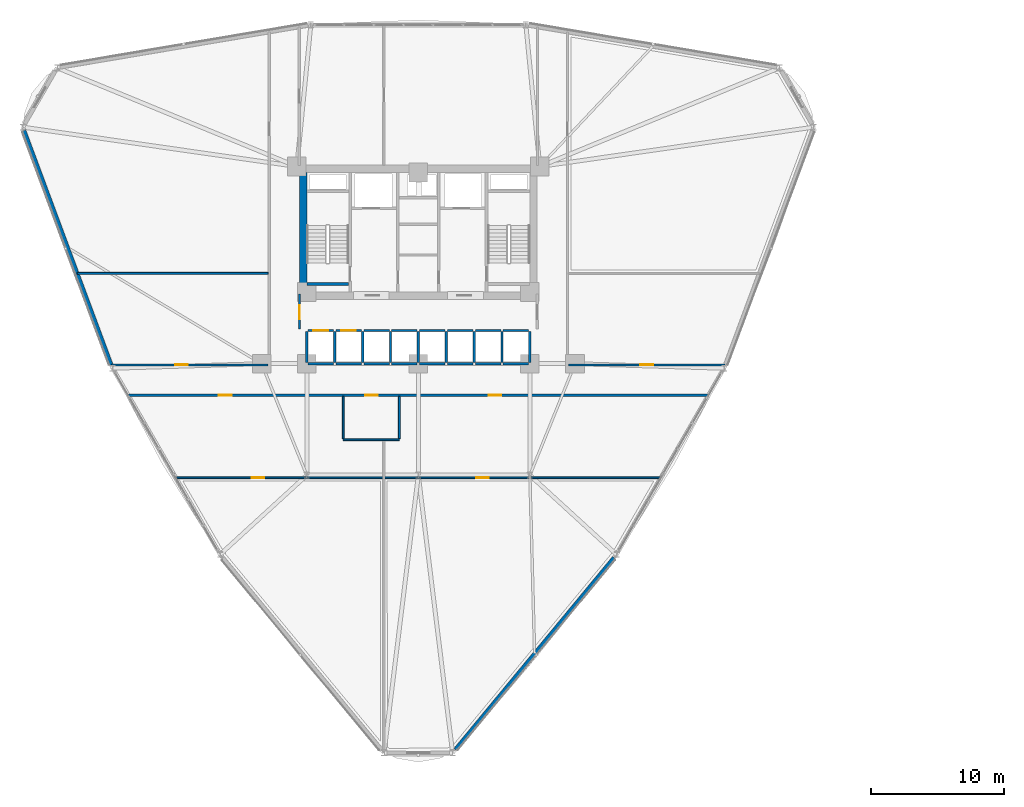
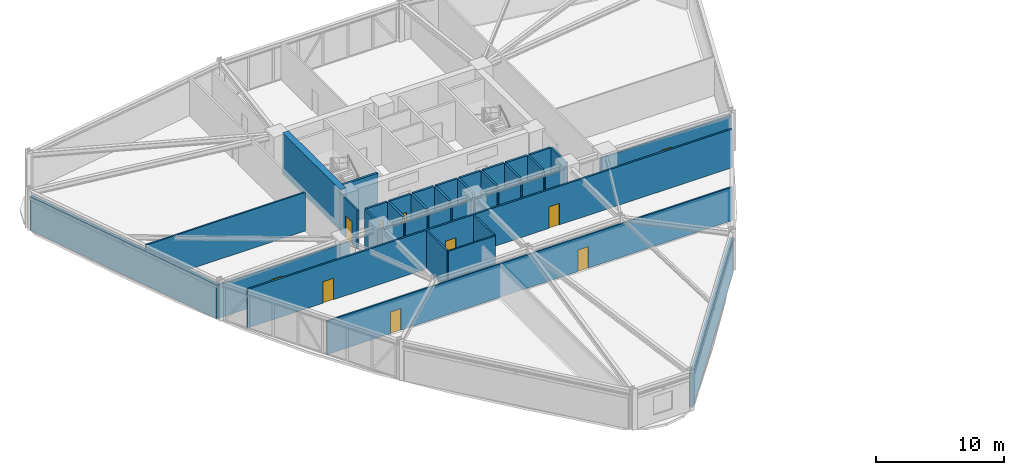
# One storey, part 16 of 23: 38 walls, 10 doors, 10 openings.
"""IFC4 building model written with IfcOpenShell, lengths in metres."""

from ifc_helpers import new_model, si_unit, derived_unit, direction, frame, frame_2d, origin, place, context, subcontext, project, spatial, rectangle, extrude, material, layer, layer_set, type_object, element, fill, save


model = new_model("IFC4")

# Units and contexts
model_context = context("Model", 3, precision=1e-05, world=origin(), true_north=direction((0.0, 1.0)))
body_context = subcontext(model_context, "Body", "Model", "MODEL_VIEW")
ifc_project = project(units=[si_unit("LENGTHUNIT", "METRE"), si_unit("AREAUNIT", "SQUARE_METRE"), si_unit("VOLUMEUNIT", "CUBIC_METRE"), si_unit("PLANEANGLEUNIT", "RADIAN"), si_unit("MASSUNIT", "GRAM", prefix="KILO"), derived_unit("THERMALTRANSMITTANCEUNIT", [(si_unit("POWERUNIT", "WATT"), 1), (si_unit("LENGTHUNIT", "METRE"), -2), (si_unit("THERMODYNAMICTEMPERATUREUNIT", "KELVIN"), -1)])], contexts=[model_context])

# Site, building, storey
site_placement = place(None, origin())
site = spatial("IfcSite", under=ifc_project, at=site_placement, CompositionType="ELEMENT")
building_placement = place(site_placement, origin())
building = spatial("IfcBuilding", under=site, at=building_placement, Name="Korsvarv Bourse and Concert Hall", CompositionType="ELEMENT")
storey_placement = place(building_placement, frame((0.0, 0.0, 24.0)))
storey = spatial("IfcBuildingStorey", under=building, at=storey_placement, Name="L05", CompositionType="ELEMENT", Elevation=24.0)

# Walls
ifc_material_1 = material(Name="Concrete C50/60", Category="concrete")
ifc_layer_1 = layer(ifc_material_1, 0.3798828125)
ifc_layer_set_1 = layer_set([ifc_layer_1], Name="Concrete C50/60")
wall_type_1 = type_object("IfcWallType", Name="WL-CORE-380", PredefinedType="SHEAR", material=ifc_layer_set_1)
wall_1_placement = place(storey_placement, frame((27.610107421875, 38.39990234375, 0.0), z_axis=(0.0, 0.0, 1.0), x_axis=(1.0, 0.0, 0.0)))
element("IfcWall", 1, at=wall_1_placement, inside=storey, type_object=wall_type_1, Name="L05 stair shaft structural wall W-L05-ST1-S", PredefinedType="SHEAR", context=body_context, shape_type="SweptSolid", body=[
    extrude(rectangle(XDim=3.139892578125, YDim=0.199951171875, at=frame_2d((1.56982421875, 0.0))), origin(), (0.0, 0.0, 1.0), 3.89990234375),
])
ifc_material_2 = material(Name="Concrete C60/75", Category="concrete")
ifc_layer_2 = layer(ifc_material_2, 0.550048828125)
ifc_layer_set_2 = layer_set([ifc_layer_2], Name="Concrete C60/75")
wall_type_2 = type_object("IfcWallType", Name="WL-CORE-550", PredefinedType="SHEAR", material=ifc_layer_set_2)
wall_2_placement = place(storey_placement, frame((27.324951171875, 37.800048828125, 0.0), z_axis=(0.0, 0.0, 1.0), x_axis=(0.0, 1.0, 0.0)))
element("IfcWall", 2, at=wall_2_placement, inside=storey, type_object=wall_type_2, Name="L05 West Core Shear Wall", PredefinedType="SHEAR", context=body_context, shape_type="SweptSolid", body=[
    extrude(rectangle(XDim=9.0, YDim=0.550048828125, at=frame_2d((4.5, 0.0))), origin(), (0.0, 0.0, 1.0), 3.89990234375),
])
ifc_material_3 = material(Name="Precast concrete C45/55 with fluted terracotta pier", Category="concrete")
ifc_layer_3 = layer(ifc_material_3, 0.280029296875)
ifc_layer_set_3 = layer_set([ifc_layer_3], Name="Precast concrete C45/55 with fluted terracotta pier")
wall_type_3 = type_object("IfcWallType", Name="WL-EXT-TC2", PredefinedType="SOLIDWALL", material=ifc_layer_set_3)
wall_3_placement = place(storey_placement, frame((6.301513671875, 49.97509765625, 0.0), z_axis=(0.0, 0.0, 1.0), x_axis=(0.348763587367, -0.937210734108, 0.0)))
element("IfcWall", 3, at=wall_3_placement, inside=storey, type_object=wall_type_3, Name="L05 terracotta exterior wall EW-L05-B06", PredefinedType="SOLIDWALL", context=body_context, shape_type="SweptSolid", body=[
    extrude(rectangle(XDim=18.86328125, YDim=0.280029296875, at=frame_2d((9.431640625, 0.0))), origin(), (0.0, 0.0, 1.0), 3.22998046875),
])
wall_4_placement = place(storey_placement, frame((38.781982421875, 3.335693359375, 0.0), z_axis=(0.0, 0.0, 1.0), x_axis=(0.637262575447, 0.770646747826, 0.0)))
element("IfcWall", 4, at=wall_4_placement, inside=storey, type_object=wall_type_3, Name="L05 terracotta exterior wall EW-L05-B10", PredefinedType="SOLIDWALL", context=body_context, shape_type="SweptSolid", body=[
    extrude(rectangle(XDim=18.751953125, YDim=0.280029296875, at=frame_2d((9.3759765625, 0.0))), origin(), (0.0, 0.0, 1.0), 3.22998046875),
])

# Wall, opening, door
ifc_material_4 = material(Name="Double-stud fire-rated acoustic partition", Category="gypsum")
ifc_layer_4 = layer(ifc_material_4, 0.159912109375)
ifc_layer_set_4 = layer_set([ifc_layer_4], Name="Double-stud fire-rated acoustic partition")
wall_type_4 = type_object("IfcWallType", Name="WL-INT-EI60", PredefinedType="PARTITIONING", material=ifc_layer_set_4)
wall_5_placement = place(storey_placement, frame((27.0400390625, 35.0, 0.0), z_axis=(0.0, 0.0, 1.0), x_axis=(0.0, 1.0, 0.0)))
wall_5 = element("IfcWall", 5, at=wall_5_placement, inside=storey, type_object=wall_type_4, Name="L05 interior partition wall W-L05-LOB-W", PredefinedType="PARTITIONING", context=body_context, shape_type="SweptSolid", body=[
    extrude(rectangle(XDim=2.64990234375, YDim=0.159912109375, at=frame_2d((1.324951171875, 0.0))), origin(), (0.0, 0.0, 1.0), 3.679931640625),
])
opening_1_placement = place(wall_5_placement, frame((0.75, 0.0, 0.0)))
opening_1 = element("IfcOpeningElement", 6, at=opening_1_placement, cuts=wall_5, Name="Opening D-01", PredefinedType="OPENING", context=body_context, shape_type="SweptSolid", body=[
    extrude(rectangle(XDim=1.050048828125, YDim=2.10009765625, at=frame_2d((0.52490234375, 1.050048828125))), frame((0.0, 0.08984375, 0.0), z_axis=(0.0, -1.0, 0.0), x_axis=(1.0, 0.0, 0.0)), (0.0, 0.0, 1.0), 0.179931640625),
])
ifc_material_5 = material(Name="Steel S355 fire door", Category="steel")
door_type_1 = type_object("IfcDoorType", Name="DR-FD60", OperationType="NOTDEFINED", PredefinedType="DOOR", material=ifc_material_5)
door_1_placement = place(opening_1_placement, frame((1.050048828125, 0.0, 0.0), z_axis=(0.0, 0.0, 1.0), x_axis=(-1.0, 0.0, 0.0)))
door_1 = element("IfcDoor", 7, at=door_1_placement, inside=storey, type_object=door_type_1, Name="L05 interior door DR-L05-LOBW", OperationType="SINGLE_SWING_LEFT", OverallHeight=2.10009765625, OverallWidth=1.050048828125, PredefinedType="DOOR", context=body_context, shape_type="SweptSolid", body=[
    extrude(rectangle(XDim=1.050048828125, YDim=2.10009765625, at=frame_2d((0.52490234375, 1.050048828125))), frame((0.0, 0.02490234375, 0.0), z_axis=(0.0, -1.0, 0.0), x_axis=(1.0, 0.0, 0.0)), (0.0, 0.0, 1.0), 0.050048828125),
])
fill(opening_1, door_1)

# Wall, openings, doors
wall_6_placement = place(storey_placement, frame((14.162109375, 30.02490234375, 0.0), z_axis=(0.0, 0.0, 1.0), x_axis=(1.0, 0.0, 0.0)))
wall_6 = element("IfcWall", 8, at=wall_6_placement, inside=storey, type_object=wall_type_4, Name="L05 interior partition wall W-L05-TCOR-01", PredefinedType="PARTITIONING", context=body_context, shape_type="SweptSolid", body=[
    extrude(rectangle(XDim=43.67578125, YDim=0.159912109375, at=frame_2d((21.837890625, 0.0))), origin(), (0.0, 0.0, 1.0), 3.679931640625),
])
opening_2_placement = place(wall_6_placement, frame((17.822998046875, 0.0, 0.0)))
opening_2 = element("IfcOpeningElement", 9, at=opening_2_placement, cuts=wall_6, Name="Opening D-02", PredefinedType="OPENING", context=body_context, shape_type="SweptSolid", body=[
    extrude(rectangle(XDim=0.949951171875, YDim=2.050048828125, at=frame_2d((0.47509765625, 1.02490234375))), frame((0.0, 0.08984375, 0.0), z_axis=(0.0, -1.0, 0.0), x_axis=(1.0, 0.0, 0.0)), (0.0, 0.0, 1.0), 0.179931640625),
])
opening_3_placement = place(wall_6_placement, frame((6.824462890625, 0.0, 0.0)))
opening_3 = element("IfcOpeningElement", 10, at=opening_3_placement, cuts=wall_6, Name="Opening D-02", PredefinedType="OPENING", context=body_context, shape_type="SweptSolid", body=[
    extrude(rectangle(XDim=0.949951171875, YDim=2.050048828125, at=frame_2d((0.47509765625, 1.02490234375))), frame((0.0, 0.08984375, 0.0), z_axis=(0.0, -1.0, 0.0), x_axis=(1.0, 0.0, 0.0)), (0.0, 0.0, 1.0), 0.179931640625),
])
opening_4_placement = place(wall_6_placement, frame((27.14599609375, 0.0, 0.0)))
opening_4 = element("IfcOpeningElement", 11, at=opening_4_placement, cuts=wall_6, Name="Opening D-02", PredefinedType="OPENING", context=body_context, shape_type="SweptSolid", body=[
    extrude(rectangle(XDim=0.949951171875, YDim=2.050048828125, at=frame_2d((0.47509765625, 1.02490234375))), frame((0.0, 0.08984375, 0.0), z_axis=(0.0, -1.0, 0.0), x_axis=(1.0, 0.0, 0.0)), (0.0, 0.0, 1.0), 0.179931640625),
])
ifc_material_6 = material(Name="Timber and steel acoustic fire door", Category="wood")
door_type_2 = type_object("IfcDoorType", Name="DR-FD30", OperationType="NOTDEFINED", PredefinedType="DOOR", material=ifc_material_6)
door_2_placement = place(opening_2_placement, origin())
door_2 = element("IfcDoor", 12, at=door_2_placement, inside=storey, type_object=door_type_2, Name="L05 interior door DR-L05-TCOR-RWC", OperationType="SINGLE_SWING_LEFT", OverallHeight=2.050048828125, OverallWidth=0.949951171875, PredefinedType="DOOR", context=body_context, shape_type="SweptSolid", body=[
    extrude(rectangle(XDim=0.949951171875, YDim=2.050048828125, at=frame_2d((0.47509765625, 1.02490234375))), frame((0.0, 0.02490234375, 0.0), z_axis=(0.0, -1.0, 0.0), x_axis=(1.0, 0.0, 0.0)), (0.0, 0.0, 1.0), 0.050048828125),
])
fill(opening_2, door_2)
door_3_placement = place(opening_3_placement, origin())
door_3 = element("IfcDoor", 13, at=door_3_placement, inside=storey, type_object=door_type_2, Name="L05 interior door DR-L05-TCOR-EQ15", OperationType="SINGLE_SWING_RIGHT", OverallHeight=2.050048828125, OverallWidth=0.949951171875, PredefinedType="DOOR", context=body_context, shape_type="SweptSolid", body=[
    extrude(rectangle(XDim=0.949951171875, YDim=2.050048828125, at=frame_2d((0.47509765625, 1.02490234375))), frame((0.0, 0.02490234375, 0.0), z_axis=(0.0, -1.0, 0.0), x_axis=(1.0, 0.0, 0.0)), (0.0, 0.0, 1.0), 0.050048828125),
])
fill(opening_3, door_3)
door_4_placement = place(opening_4_placement, origin())
door_4 = element("IfcDoor", 14, at=door_4_placement, inside=storey, type_object=door_type_2, Name="L05 interior door DR-L05-TCOR-EQ26", OperationType="SINGLE_SWING_LEFT", OverallHeight=2.050048828125, OverallWidth=0.949951171875, PredefinedType="DOOR", context=body_context, shape_type="SweptSolid", body=[
    extrude(rectangle(XDim=0.949951171875, YDim=2.050048828125, at=frame_2d((0.47509765625, 1.02490234375))), frame((0.0, 0.02490234375, 0.0), z_axis=(0.0, -1.0, 0.0), x_axis=(1.0, 0.0, 0.0)), (0.0, 0.0, 1.0), 0.050048828125),
])
fill(opening_4, door_4)

# Wall, opening, door
wall_7_placement = place(storey_placement, frame((12.893310546875, 32.31494140625, 0.0), z_axis=(0.0, 0.0, 1.0), x_axis=(1.0, 0.0, 0.0)))
wall_7 = element("IfcWall", 15, at=wall_7_placement, inside=storey, type_object=wall_type_4, Name="L05 interior partition wall W-L05-TCOR-04", PredefinedType="PARTITIONING", context=body_context, shape_type="SweptSolid", body=[
    extrude(rectangle(XDim=11.7998046875, YDim=0.159912109375, at=frame_2d((5.89990234375, 0.0))), origin(), (0.0, 0.0, 1.0), 3.179931640625),
])
opening_5_placement = place(wall_7_placement, frame((4.78662109375, 0.0, 0.0)))
opening_5 = element("IfcOpeningElement", 16, at=opening_5_placement, cuts=wall_7, Name="Opening D-02", PredefinedType="OPENING", context=body_context, shape_type="SweptSolid", body=[
    extrude(rectangle(XDim=0.949951171875, YDim=2.050048828125, at=frame_2d((0.47509765625, 1.02490234375))), frame((0.0, 0.08984375, 0.0), z_axis=(0.0, -1.0, 0.0), x_axis=(1.0, 0.0, 0.0)), (0.0, 0.0, 1.0), 0.179931640625),
])
door_5_placement = place(opening_5_placement, origin())
door_5 = element("IfcDoor", 17, at=door_5_placement, inside=storey, type_object=door_type_2, Name="L05 interior door DR-L05-TCOR-EQ59", OperationType="SINGLE_SWING_RIGHT", OverallHeight=2.050048828125, OverallWidth=0.949951171875, PredefinedType="DOOR", context=body_context, shape_type="SweptSolid", body=[
    extrude(rectangle(XDim=0.949951171875, YDim=2.050048828125, at=frame_2d((0.47509765625, 1.02490234375))), frame((0.0, 0.02490234375, 0.0), z_axis=(0.0, -1.0, 0.0), x_axis=(1.0, 0.0, 0.0)), (0.0, 0.0, 1.0), 0.050048828125),
])
fill(opening_5, door_5)

wall_8_placement = place(storey_placement, frame((47.306884765625, 32.31494140625, 0.0), z_axis=(0.0, 0.0, 1.0), x_axis=(1.0, 0.0, 0.0)))
wall_8 = element("IfcWall", 18, at=wall_8_placement, inside=storey, type_object=wall_type_4, Name="L05 interior partition wall W-L05-TCOR-05", PredefinedType="PARTITIONING", context=body_context, shape_type="SweptSolid", body=[
    extrude(rectangle(XDim=11.7998046875, YDim=0.159912109375, at=frame_2d((5.89990234375, 0.0))), origin(), (0.0, 0.0, 1.0), 3.179931640625),
])
opening_6_placement = place(wall_8_placement, frame((5.4248046875, 0.0, 0.0)))
opening_6 = element("IfcOpeningElement", 19, at=opening_6_placement, cuts=wall_8, Name="Opening D-02", PredefinedType="OPENING", context=body_context, shape_type="SweptSolid", body=[
    extrude(rectangle(XDim=0.949951171875, YDim=2.050048828125, at=frame_2d((0.47509765625, 1.02490234375))), frame((0.0, 0.08984375, 0.0), z_axis=(0.0, -1.0, 0.0), x_axis=(1.0, 0.0, 0.0)), (0.0, 0.0, 1.0), 0.179931640625),
])
door_6_placement = place(opening_6_placement, origin())
door_6 = element("IfcDoor", 20, at=door_6_placement, inside=storey, type_object=door_type_2, Name="L05 interior door DR-L05-TCOR-EQ71", OperationType="SINGLE_SWING_LEFT", OverallHeight=2.050048828125, OverallWidth=0.949951171875, PredefinedType="DOOR", context=body_context, shape_type="SweptSolid", body=[
    extrude(rectangle(XDim=0.949951171875, YDim=2.050048828125, at=frame_2d((0.47509765625, 1.02490234375))), frame((0.0, 0.02490234375, 0.0), z_axis=(0.0, -1.0, 0.0), x_axis=(1.0, 0.0, 0.0)), (0.0, 0.0, 1.0), 0.050048828125),
])
fill(opening_6, door_6)

ifc_material_7 = material(Name="Gypsum-clad autoclaved concrete shaft wall C30/37", Category="concrete")
ifc_layer_5 = layer(ifc_material_7, 0.179931640625)
ifc_layer_set_5 = layer_set([ifc_layer_5], Name="Gypsum-clad autoclaved concrete shaft wall C30/37")
wall_type_5 = type_object("IfcWallType", Name="WL-INT-EI90", PredefinedType="PARTITIONING", material=ifc_layer_set_5)
wall_9_placement = place(storey_placement, frame((27.68994140625, 34.89990234375, 0.0), z_axis=(0.0, 0.0, 1.0), x_axis=(1.0, 0.0, 0.0)))
wall_9 = element("IfcWall", 21, at=wall_9_placement, inside=storey, type_object=wall_type_5, Name="L05 interior partition wall W-L05-SHFN-PL1", PredefinedType="PARTITIONING", context=body_context, shape_type="SweptSolid", body=[
    extrude(rectangle(XDim=1.920166015625, YDim=0.179931640625, at=frame_2d((0.9599609375, 0.0))), origin(), (0.0, 0.0, 1.0), 3.679931640625),
])
opening_7_placement = place(wall_9_placement, frame((0.409912109375, 0.0, 0.0)))
opening_7 = element("IfcOpeningElement", 22, at=opening_7_placement, cuts=wall_9, Name="Opening LD-2", PredefinedType="OPENING", context=body_context, shape_type="SweptSolid", body=[
    extrude(rectangle(XDim=1.10009765625, YDim=2.10009765625, at=frame_2d((0.550048828125, 1.050048828125))), frame((0.0, 0.10009765625, 0.0), z_axis=(0.0, -1.0, 0.0), x_axis=(1.0, 0.0, 0.0)), (0.0, 0.0, 1.0), 0.199951171875),
])
ifc_material_8 = material(Name="Brushed stainless Steel S355 lift landing door", Category="steel")
door_type_3 = type_object("IfcDoorType", Name="DR-LIFT-P", OperationType="DOUBLE_DOOR_SLIDING", PredefinedType="DOOR", material=ifc_material_8)
door_7_placement = place(opening_7_placement, origin())
door_7 = element("IfcDoor", 23, at=door_7_placement, inside=storey, type_object=door_type_3, Name="L05 lift sliding landing door LD-L05-PL1", OperationType="DOUBLE_DOOR_SLIDING", OverallHeight=2.10009765625, OverallWidth=1.10009765625, PredefinedType="DOOR", context=body_context, shape_type="SweptSolid", body=[
    extrude(rectangle(XDim=1.10009765625, YDim=2.10009765625, at=frame_2d((0.550048828125, 1.050048828125))), frame((0.0, 0.02490234375, 0.0), z_axis=(0.0, -1.0, 0.0), x_axis=(1.0, 0.0, 0.0)), (0.0, 0.0, 1.0), 0.050048828125),
])
fill(opening_7, door_7)

# Walls
wall_10_placement = place(storey_placement, frame((27.68994140625, 32.39990234375, 0.0), z_axis=(0.0, 0.0, 1.0), x_axis=(1.0, 0.0, 0.0)))
element("IfcWall", 24, at=wall_10_placement, inside=storey, type_object=wall_type_5, Name="L05 interior partition wall W-L05-SHFS-PL1", PredefinedType="PARTITIONING", context=body_context, shape_type="SweptSolid", body=[
    extrude(rectangle(XDim=1.920166015625, YDim=0.179931640625, at=frame_2d((0.9599609375, 0.0))), origin(), (0.0, 0.0, 1.0), 3.179931640625),
])
wall_11_placement = place(storey_placement, frame((27.60009765625, 32.489990234375, 0.0), z_axis=(0.0, 0.0, 1.0), x_axis=(0.0, 1.0, 0.0)))
element("IfcWall", 25, at=wall_11_placement, inside=storey, type_object=wall_type_5, Name="L05 interior partition wall W-L05-SHFW-PL1", PredefinedType="PARTITIONING", context=body_context, shape_type="SweptSolid", body=[
    extrude(rectangle(XDim=2.320068359375, YDim=0.179931640625, at=frame_2d((1.16015625, 0.0))), origin(), (0.0, 0.0, 1.0), 3.679931640625),
])

# Wall, opening, door
wall_12_placement = place(storey_placement, frame((29.7900390625, 34.89990234375, 0.0), z_axis=(0.0, 0.0, 1.0), x_axis=(1.0, 0.0, 0.0)))
wall_12 = element("IfcWall", 26, at=wall_12_placement, inside=storey, type_object=wall_type_5, Name="L05 interior partition wall W-L05-SHFN-PL2", PredefinedType="PARTITIONING", context=body_context, shape_type="SweptSolid", body=[
    extrude(rectangle(XDim=1.919921875, YDim=0.179931640625, at=frame_2d((0.9599609375, 0.0))), origin(), (0.0, 0.0, 1.0), 3.679931640625),
])
opening_8_placement = place(wall_12_placement, frame((0.409912109375, 0.0, 0.0)))
opening_8 = element("IfcOpeningElement", 27, at=opening_8_placement, cuts=wall_12, Name="Opening LD-2", PredefinedType="OPENING", context=body_context, shape_type="SweptSolid", body=[
    extrude(rectangle(XDim=1.10009765625, YDim=2.10009765625, at=frame_2d((0.550048828125, 1.050048828125))), frame((0.0, 0.10009765625, 0.0), z_axis=(0.0, -1.0, 0.0), x_axis=(1.0, 0.0, 0.0)), (0.0, 0.0, 1.0), 0.199951171875),
])
door_8_placement = place(opening_8_placement, origin())
door_8 = element("IfcDoor", 28, at=door_8_placement, inside=storey, type_object=door_type_3, Name="L05 lift sliding landing door LD-L05-PL2", OperationType="DOUBLE_DOOR_SLIDING", OverallHeight=2.10009765625, OverallWidth=1.10009765625, PredefinedType="DOOR", context=body_context, shape_type="SweptSolid", body=[
    extrude(rectangle(XDim=1.10009765625, YDim=2.10009765625, at=frame_2d((0.550048828125, 1.050048828125))), frame((0.0, 0.02490234375, 0.0), z_axis=(0.0, -1.0, 0.0), x_axis=(1.0, 0.0, 0.0)), (0.0, 0.0, 1.0), 0.050048828125),
])
fill(opening_8, door_8)

# Walls
wall_13_placement = place(storey_placement, frame((29.7900390625, 32.39990234375, 0.0), z_axis=(0.0, 0.0, 1.0), x_axis=(1.0, 0.0, 0.0)))
element("IfcWall", 29, at=wall_13_placement, inside=storey, type_object=wall_type_5, Name="L05 interior partition wall W-L05-SHFS-PL2", PredefinedType="PARTITIONING", context=body_context, shape_type="SweptSolid", body=[
    extrude(rectangle(XDim=1.919921875, YDim=0.179931640625, at=frame_2d((0.9599609375, 0.0))), origin(), (0.0, 0.0, 1.0), 3.179931640625),
])
wall_14_placement = place(storey_placement, frame((29.699951171875, 32.489990234375, 0.0), z_axis=(0.0, 0.0, 1.0), x_axis=(0.0, 1.0, 0.0)))
element("IfcWall", 30, at=wall_14_placement, inside=storey, type_object=wall_type_5, Name="L05 interior partition wall W-L05-SHFW-PL2", PredefinedType="PARTITIONING", context=body_context, shape_type="SweptSolid", body=[
    extrude(rectangle(XDim=2.320068359375, YDim=0.179931640625, at=frame_2d((1.16015625, 0.0))), origin(), (0.0, 0.0, 1.0), 3.679931640625),
])
wall_15_placement = place(storey_placement, frame((31.889892578125, 34.89990234375, 0.0), z_axis=(0.0, 0.0, 1.0), x_axis=(1.0, 0.0, 0.0)))
element("IfcWall", 31, at=wall_15_placement, inside=storey, type_object=wall_type_5, Name="L05 interior partition wall W-L05-SHFN-PM1", PredefinedType="PARTITIONING", context=body_context, shape_type="SweptSolid", body=[
    extrude(rectangle(XDim=1.920166015625, YDim=0.179931640625, at=frame_2d((0.9599609375, 0.0))), origin(), (0.0, 0.0, 1.0), 3.679931640625),
])
wall_16_placement = place(storey_placement, frame((31.889892578125, 32.39990234375, 0.0), z_axis=(0.0, 0.0, 1.0), x_axis=(1.0, 0.0, 0.0)))
element("IfcWall", 32, at=wall_16_placement, inside=storey, type_object=wall_type_5, Name="L05 interior partition wall W-L05-SHFS-PM1", PredefinedType="PARTITIONING", context=body_context, shape_type="SweptSolid", body=[
    extrude(rectangle(XDim=1.920166015625, YDim=0.179931640625, at=frame_2d((0.9599609375, 0.0))), origin(), (0.0, 0.0, 1.0), 3.179931640625),
])
wall_17_placement = place(storey_placement, frame((31.800048828125, 32.489990234375, 0.0), z_axis=(0.0, 0.0, 1.0), x_axis=(0.0, 1.0, 0.0)))
element("IfcWall", 33, at=wall_17_placement, inside=storey, type_object=wall_type_5, Name="L05 interior partition wall W-L05-SHFW-PM1", PredefinedType="PARTITIONING", context=body_context, shape_type="SweptSolid", body=[
    extrude(rectangle(XDim=2.320068359375, YDim=0.179931640625, at=frame_2d((1.16015625, 0.0))), origin(), (0.0, 0.0, 1.0), 3.679931640625),
])
wall_18_placement = place(storey_placement, frame((33.989990234375, 34.89990234375, 0.0), z_axis=(0.0, 0.0, 1.0), x_axis=(1.0, 0.0, 0.0)))
element("IfcWall", 34, at=wall_18_placement, inside=storey, type_object=wall_type_5, Name="L05 interior partition wall W-L05-SHFN-PM2", PredefinedType="PARTITIONING", context=body_context, shape_type="SweptSolid", body=[
    extrude(rectangle(XDim=1.919921875, YDim=0.179931640625, at=frame_2d((0.9599609375, 0.0))), origin(), (0.0, 0.0, 1.0), 3.679931640625),
])
wall_19_placement = place(storey_placement, frame((33.989990234375, 32.39990234375, 0.0), z_axis=(0.0, 0.0, 1.0), x_axis=(1.0, 0.0, 0.0)))
element("IfcWall", 35, at=wall_19_placement, inside=storey, type_object=wall_type_5, Name="L05 interior partition wall W-L05-SHFS-PM2", PredefinedType="PARTITIONING", context=body_context, shape_type="SweptSolid", body=[
    extrude(rectangle(XDim=1.919921875, YDim=0.179931640625, at=frame_2d((0.9599609375, 0.0))), origin(), (0.0, 0.0, 1.0), 3.179931640625),
])
wall_20_placement = place(storey_placement, frame((33.89990234375, 32.489990234375, 0.0), z_axis=(0.0, 0.0, 1.0), x_axis=(0.0, 1.0, 0.0)))
element("IfcWall", 36, at=wall_20_placement, inside=storey, type_object=wall_type_5, Name="L05 interior partition wall W-L05-SHFW-PM2", PredefinedType="PARTITIONING", context=body_context, shape_type="SweptSolid", body=[
    extrude(rectangle(XDim=2.320068359375, YDim=0.179931640625, at=frame_2d((1.16015625, 0.0))), origin(), (0.0, 0.0, 1.0), 3.679931640625),
])
wall_21_placement = place(storey_placement, frame((36.090087890625, 34.89990234375, 0.0), z_axis=(0.0, 0.0, 1.0), x_axis=(1.0, 0.0, 0.0)))
element("IfcWall", 37, at=wall_21_placement, inside=storey, type_object=wall_type_5, Name="L05 interior partition wall W-L05-SHFN-PH1", PredefinedType="PARTITIONING", context=body_context, shape_type="SweptSolid", body=[
    extrude(rectangle(XDim=1.919921875, YDim=0.179931640625, at=frame_2d((0.9599609375, 0.0))), origin(), (0.0, 0.0, 1.0), 3.679931640625),
])
wall_22_placement = place(storey_placement, frame((36.090087890625, 32.39990234375, 0.0), z_axis=(0.0, 0.0, 1.0), x_axis=(1.0, 0.0, 0.0)))
element("IfcWall", 38, at=wall_22_placement, inside=storey, type_object=wall_type_5, Name="L05 interior partition wall W-L05-SHFS-PH1", PredefinedType="PARTITIONING", context=body_context, shape_type="SweptSolid", body=[
    extrude(rectangle(XDim=1.919921875, YDim=0.179931640625, at=frame_2d((0.9599609375, 0.0))), origin(), (0.0, 0.0, 1.0), 3.179931640625),
])
wall_23_placement = place(storey_placement, frame((36.0, 32.489990234375, 0.0), z_axis=(0.0, 0.0, 1.0), x_axis=(0.0, 1.0, 0.0)))
element("IfcWall", 39, at=wall_23_placement, inside=storey, type_object=wall_type_5, Name="L05 interior partition wall W-L05-SHFW-PH1", PredefinedType="PARTITIONING", context=body_context, shape_type="SweptSolid", body=[
    extrude(rectangle(XDim=2.320068359375, YDim=0.179931640625, at=frame_2d((1.16015625, 0.0))), origin(), (0.0, 0.0, 1.0), 3.679931640625),
])
wall_24_placement = place(storey_placement, frame((38.18994140625, 34.89990234375, 0.0), z_axis=(0.0, 0.0, 1.0), x_axis=(1.0, 0.0, 0.0)))
element("IfcWall", 40, at=wall_24_placement, inside=storey, type_object=wall_type_5, Name="L05 interior partition wall W-L05-SHFN-PH2", PredefinedType="PARTITIONING", context=body_context, shape_type="SweptSolid", body=[
    extrude(rectangle(XDim=1.920166015625, YDim=0.179931640625, at=frame_2d((0.9599609375, 0.0))), origin(), (0.0, 0.0, 1.0), 3.679931640625),
])
wall_25_placement = place(storey_placement, frame((38.18994140625, 32.39990234375, 0.0), z_axis=(0.0, 0.0, 1.0), x_axis=(1.0, 0.0, 0.0)))
element("IfcWall", 41, at=wall_25_placement, inside=storey, type_object=wall_type_5, Name="L05 interior partition wall W-L05-SHFS-PH2", PredefinedType="PARTITIONING", context=body_context, shape_type="SweptSolid", body=[
    extrude(rectangle(XDim=1.920166015625, YDim=0.179931640625, at=frame_2d((0.9599609375, 0.0))), origin(), (0.0, 0.0, 1.0), 3.179931640625),
])
wall_26_placement = place(storey_placement, frame((38.10009765625, 32.489990234375, 0.0), z_axis=(0.0, 0.0, 1.0), x_axis=(0.0, 1.0, 0.0)))
element("IfcWall", 42, at=wall_26_placement, inside=storey, type_object=wall_type_5, Name="L05 interior partition wall W-L05-SHFW-PH2", PredefinedType="PARTITIONING", context=body_context, shape_type="SweptSolid", body=[
    extrude(rectangle(XDim=2.320068359375, YDim=0.179931640625, at=frame_2d((1.16015625, 0.0))), origin(), (0.0, 0.0, 1.0), 3.679931640625),
])
wall_27_placement = place(storey_placement, frame((40.2900390625, 34.89990234375, 0.0), z_axis=(0.0, 0.0, 1.0), x_axis=(1.0, 0.0, 0.0)))
element("IfcWall", 43, at=wall_27_placement, inside=storey, type_object=wall_type_5, Name="L05 interior partition wall W-L05-SHFN-PO1", PredefinedType="PARTITIONING", context=body_context, shape_type="SweptSolid", body=[
    extrude(rectangle(XDim=1.919921875, YDim=0.179931640625, at=frame_2d((0.9599609375, 0.0))), origin(), (0.0, 0.0, 1.0), 3.679931640625),
])
wall_28_placement = place(storey_placement, frame((40.2900390625, 32.39990234375, 0.0), z_axis=(0.0, 0.0, 1.0), x_axis=(1.0, 0.0, 0.0)))
element("IfcWall", 44, at=wall_28_placement, inside=storey, type_object=wall_type_5, Name="L05 interior partition wall W-L05-SHFS-PO1", PredefinedType="PARTITIONING", context=body_context, shape_type="SweptSolid", body=[
    extrude(rectangle(XDim=1.919921875, YDim=0.179931640625, at=frame_2d((0.9599609375, 0.0))), origin(), (0.0, 0.0, 1.0), 3.179931640625),
])
wall_29_placement = place(storey_placement, frame((40.199951171875, 32.489990234375, 0.0), z_axis=(0.0, 0.0, 1.0), x_axis=(0.0, 1.0, 0.0)))
element("IfcWall", 45, at=wall_29_placement, inside=storey, type_object=wall_type_5, Name="L05 interior partition wall W-L05-SHFW-PO1", PredefinedType="PARTITIONING", context=body_context, shape_type="SweptSolid", body=[
    extrude(rectangle(XDim=2.320068359375, YDim=0.179931640625, at=frame_2d((1.16015625, 0.0))), origin(), (0.0, 0.0, 1.0), 3.679931640625),
])
wall_30_placement = place(storey_placement, frame((42.389892578125, 34.89990234375, 0.0), z_axis=(0.0, 0.0, 1.0), x_axis=(1.0, 0.0, 0.0)))
element("IfcWall", 46, at=wall_30_placement, inside=storey, type_object=wall_type_5, Name="L05 interior partition wall W-L05-SHFN-PO2", PredefinedType="PARTITIONING", context=body_context, shape_type="SweptSolid", body=[
    extrude(rectangle(XDim=1.920166015625, YDim=0.179931640625, at=frame_2d((0.9599609375, 0.0))), origin(), (0.0, 0.0, 1.0), 3.679931640625),
])
wall_31_placement = place(storey_placement, frame((42.389892578125, 32.39990234375, 0.0), z_axis=(0.0, 0.0, 1.0), x_axis=(1.0, 0.0, 0.0)))
element("IfcWall", 47, at=wall_31_placement, inside=storey, type_object=wall_type_5, Name="L05 interior partition wall W-L05-SHFS-PO2", PredefinedType="PARTITIONING", context=body_context, shape_type="SweptSolid", body=[
    extrude(rectangle(XDim=1.920166015625, YDim=0.179931640625, at=frame_2d((0.9599609375, 0.0))), origin(), (0.0, 0.0, 1.0), 3.179931640625),
])
for number, where, z_axis, x_axis, name in (
    (48, (42.300048828125, 32.489990234375, 0.0), (0.0, 0.0, 1.0), (0.0, 1.0, 0.0), "L05 interior partition wall W-L05-SHFW-PO2"),
    (49, (44.39990234375, 32.489990234375, 0.0), (0.0, 0.0, 1.0), (0.0, 1.0, 0.0), "L05 interior partition wall W-L05-SHFE-END"),
):
    element("IfcWall", number, at=place(storey_placement, frame(where, z_axis=z_axis, x_axis=x_axis)), inside=storey, type_object=wall_type_5, Name=name, PredefinedType="PARTITIONING", context=body_context, shape_type="SweptSolid", body=[
        extrude(rectangle(XDim=2.320068359375, YDim=0.179931640625, at=frame_2d((1.16015625, 0.0))), origin(), (0.0, 0.0, 1.0), 3.679931640625),
    ])

# Wall, openings, doors
ifc_material_9 = material(Name="Insulated steel-stud office acoustic partition", Category="gypsum")
ifc_layer_6 = layer(ifc_material_9, 0.139892578125)
ifc_layer_set_6 = layer_set([ifc_layer_6], Name="Insulated steel-stud office acoustic partition")
wall_type_6 = type_object("IfcWallType", Name="WL-INT-P1", PredefinedType="PARTITIONING", material=ifc_layer_set_6)
wall_32_placement = place(storey_placement, frame((17.753173828125, 23.804931640625, 0.0), z_axis=(0.0, 0.0, 1.0), x_axis=(1.0, 0.0, 0.0)))
wall_32 = element("IfcWall", 50, at=wall_32_placement, inside=storey, type_object=wall_type_6, Name="L05 interior partition wall W-L05-TCOR-08", PredefinedType="PARTITIONING", context=body_context, shape_type="SweptSolid", body=[
    extrude(rectangle(XDim=36.49365234375, YDim=0.139892578125, at=frame_2d((18.246826171875, 0.0))), origin(), (0.0, 0.0, 1.0), 3.179931640625),
])
opening_9_placement = place(wall_32_placement, frame((5.70361328125, 0.0, 0.0)))
opening_9 = element("IfcOpeningElement", 51, at=opening_9_placement, cuts=wall_32, Name="Opening D-03", PredefinedType="OPENING", context=body_context, shape_type="SweptSolid", body=[
    extrude(rectangle(XDim=0.949951171875, YDim=2.050048828125, at=frame_2d((0.47509765625, 1.02490234375))), frame((0.0, 0.080078125, 0.0), z_axis=(0.0, -1.0, 0.0), x_axis=(1.0, 0.0, 0.0)), (0.0, 0.0, 1.0), 0.159912109375),
])
opening_10_placement = place(wall_32_placement, frame((22.593017578125, 0.0, 0.0)))
opening_10 = element("IfcOpeningElement", 52, at=opening_10_placement, cuts=wall_32, Name="Opening D-03", PredefinedType="OPENING", context=body_context, shape_type="SweptSolid", body=[
    extrude(rectangle(XDim=0.949951171875, YDim=2.050048828125, at=frame_2d((0.47509765625, 1.02490234375))), frame((0.0, 0.080078125, 0.0), z_axis=(0.0, -1.0, 0.0), x_axis=(1.0, 0.0, 0.0)), (0.0, 0.0, 1.0), 0.159912109375),
])
ifc_material_10 = material(Name="Nordic oak acoustic office door", Category="wood")
door_type_4 = type_object("IfcDoorType", Name="DR-INT-1", OperationType="NOTDEFINED", PredefinedType="DOOR", material=ifc_material_10)
door_9_placement = place(opening_9_placement, origin())
door_9 = element("IfcDoor", 53, at=door_9_placement, inside=storey, type_object=door_type_4, Name="L05 interior door DR-L05-TCOR-EQ33", OperationType="SINGLE_SWING_LEFT", OverallHeight=2.050048828125, OverallWidth=0.949951171875, PredefinedType="DOOR", context=body_context, shape_type="SweptSolid", body=[
    extrude(rectangle(XDim=0.949951171875, YDim=2.050048828125, at=frame_2d((0.47509765625, 1.02490234375))), frame((0.0, 0.02490234375, 0.0), z_axis=(0.0, -1.0, 0.0), x_axis=(1.0, 0.0, 0.0)), (0.0, 0.0, 1.0), 0.050048828125),
])
fill(opening_9, door_9)
door_10_placement = place(opening_10_placement, origin())
door_10 = element("IfcDoor", 54, at=door_10_placement, inside=storey, type_object=door_type_4, Name="L05 interior door DR-L05-TCOR-EQ44", OperationType="SINGLE_SWING_RIGHT", OverallHeight=2.050048828125, OverallWidth=0.949951171875, PredefinedType="DOOR", context=body_context, shape_type="SweptSolid", body=[
    extrude(rectangle(XDim=0.949951171875, YDim=2.050048828125, at=frame_2d((0.47509765625, 1.02490234375))), frame((0.0, 0.02490234375, 0.0), z_axis=(0.0, -1.0, 0.0), x_axis=(1.0, 0.0, 0.0)), (0.0, 0.0, 1.0), 0.050048828125),
])
fill(opening_10, door_10)

# Walls
wall_33_placement = place(storey_placement, frame((10.329345703125, 39.205078125, 0.0), z_axis=(0.0, 0.0, 1.0), x_axis=(1.0, 0.0, 0.0)))
element("IfcWall", 55, at=wall_33_placement, inside=storey, type_object=wall_type_6, Name="L05 interior partition wall W-L05-TCOR-10", PredefinedType="PARTITIONING", context=body_context, shape_type="SweptSolid", body=[
    extrude(rectangle(XDim=14.36376953125, YDim=0.139892578125, at=frame_2d((7.181884765625, 0.0))), origin(), (0.0, 0.0, 1.0), 3.679931640625),
])
wall_34_placement = place(storey_placement, frame((30.340087890625, 26.675048828125, 0.0), z_axis=(0.0, 0.0, 1.0), x_axis=(1.0, 0.0, 0.0)))
element("IfcWall", 56, at=wall_34_placement, inside=storey, type_object=wall_type_6, Name="L05 interior partition wall W-L05-TCOR-13", PredefinedType="PARTITIONING", context=body_context, shape_type="SweptSolid", body=[
    extrude(rectangle(XDim=4.239990234375, YDim=0.139892578125, at=frame_2d((2.1201171875, 0.0))), origin(), (0.0, 0.0, 1.0), 3.679931640625),
])
for number, where, z_axis, x_axis, name in (
    (57, (30.344970703125, 26.7470703125, 0.0), (0.0, 0.0, 1.0), (0.0, 1.0, 0.0), "L05 interior partition wall W-L05-TCOR-14"),
    (58, (34.574951171875, 26.7470703125, 0.0), (0.0, 0.0, 1.0), (0.0, 1.0, 0.0), "L05 interior partition wall W-L05-TCOR-15"),
):
    element("IfcWall", number, at=place(storey_placement, frame(where, z_axis=z_axis, x_axis=x_axis)), inside=storey, type_object=wall_type_6, Name=name, PredefinedType="PARTITIONING", context=body_context, shape_type="SweptSolid", body=[
        extrude(rectangle(XDim=3.196044921875, YDim=0.139892578125, at=frame_2d((1.59814453125, 0.0))), origin(), (0.0, 0.0, 1.0), 3.679931640625),
    ])

save(model, "model.ifc")
